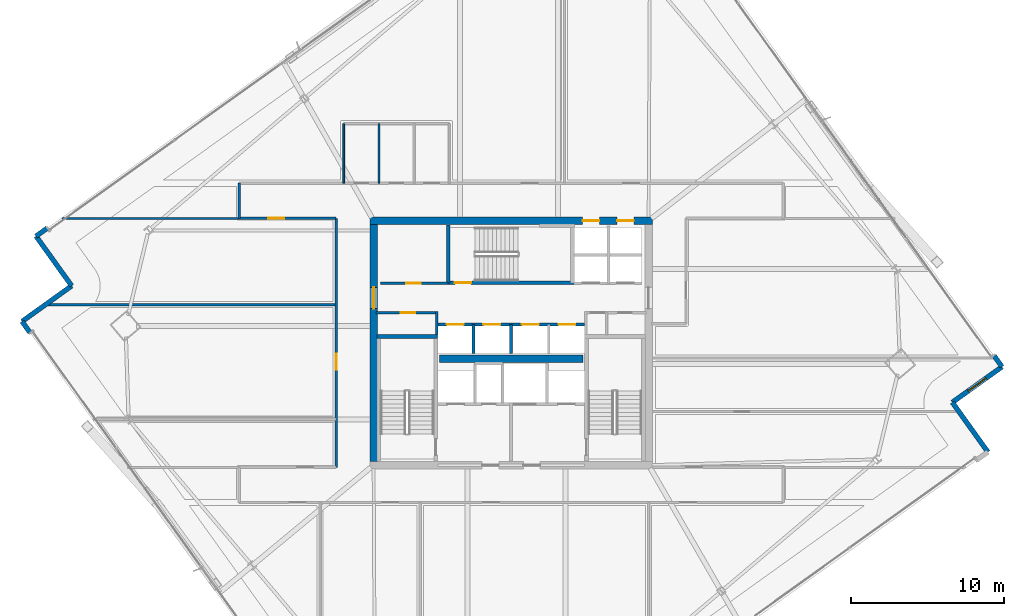
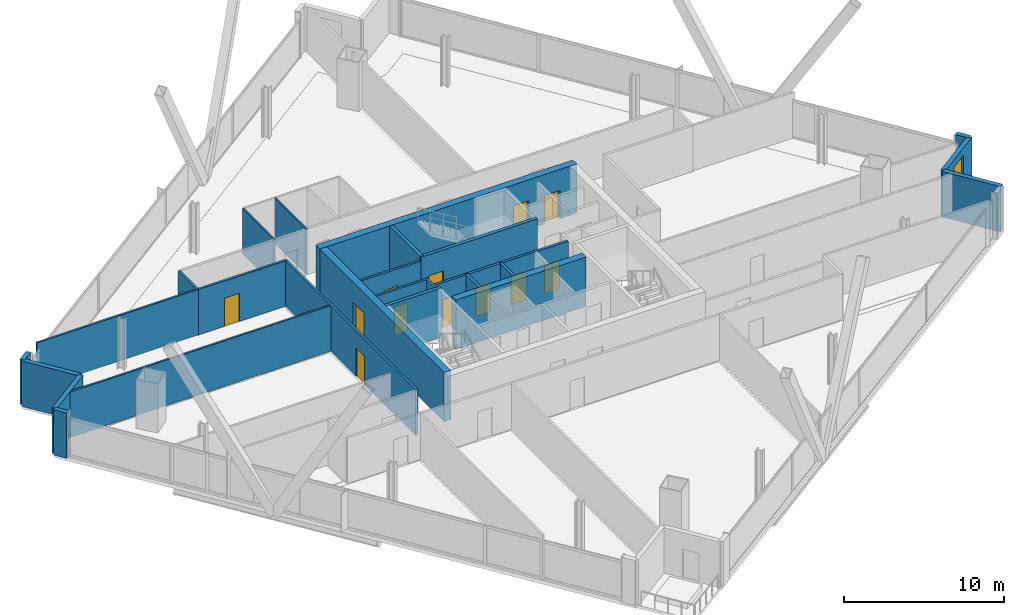
# One storey, part 26 of 33: 26 walls, 12 doors, 1 window, 13 openings.
"""IFC4 building model written with IfcOpenShell, lengths in metres."""

import ifcopenshell
import ifcopenshell.guid

model = None  # the IFC model being written
_history = None  # IfcOwnerHistory: only IFC2X3 demands one
_inside = {}  # id of a spatial element -> (the spatial element, [elements in it])
_under = {}  # id of a project, library or spatial element -> (it, [spatial elements below it])
_declared = {}  # id of a project -> (the project, [libraries it declares])
_typed = {}  # id of a type object -> (the type object, [elements of that type])
_made_of = {}  # id of a material, layer set ... -> (it, [elements and type objects made of it])


def new_model(schema):
    """Start an empty IFC model of exactly this schema.

    Asked for "IFC4X3", IfcOpenShell would pick the latest addendum, in which some entities
    have other attributes; the version numbers below select the first issue.
    IFC2X3 requires an IfcOwnerHistory on every rooted entity: one is made here for all.
    """
    global model, _history
    if schema == "IFC4X3":
        model = ifcopenshell.file(schema_version=(4, 3, 0, 0))
    else:
        model = ifcopenshell.file(schema=schema)
    _inside.clear()
    _under.clear()
    _declared.clear()
    _typed.clear()
    _made_of.clear()
    _history = None
    if model.schema == "IFC2X3":
        org = make("IfcOrganization", Name="unknown")
        user = make(
            "IfcPersonAndOrganization",
            ThePerson=make("IfcPerson", FamilyName="unknown"),
            TheOrganization=org,
        )
        app = make(
            "IfcApplication",
            ApplicationDeveloper=org,
            Version="unknown",
            ApplicationFullName="unknown",
            ApplicationIdentifier="unknown",
        )
        _history = make(
            "IfcOwnerHistory",
            OwningUser=user,
            OwningApplication=app,
            ChangeAction="ADDED",
            CreationDate=0,
        )
    return model


def make(cls, **values):
    """One entity of the class cls with the attributes given. An attribute that is None is left unset."""
    return model.create_entity(
        cls, **{name: value for name, value in values.items() if value is not None}
    )


def rooted(cls, **values):
    """An entity with a GlobalId (a new one), such as an element, a storey or a relation."""
    return make(cls, GlobalId=ifcopenshell.guid.new(), OwnerHistory=_history, **values)


def si_unit(unit_type, name, prefix=None):
    """IfcSIUnit, for example si_unit("LENGTHUNIT", "METRE", prefix="MILLI")."""
    return make("IfcSIUnit", UnitType=unit_type, Prefix=prefix, Name=name)


def assignment(units):
    """IfcUnitAssignment: the units of a project."""
    return None if units is None else make("IfcUnitAssignment", Units=units)


def point(xyz):
    """IfcCartesianPoint."""
    return None if xyz is None else make("IfcCartesianPoint", Coordinates=xyz)


def direction(xyz):
    """IfcDirection."""
    return None if xyz is None else make("IfcDirection", DirectionRatios=xyz)


def frame(location, z_axis=None, x_axis=None):
    """IfcAxis2Placement3D, a coordinate frame: its origin and axes. An axis left out is left unset."""
    return make(
        "IfcAxis2Placement3D",
        Location=point(location),
        Axis=direction(z_axis),
        RefDirection=direction(x_axis),
    )


def frame_2d(location, x_axis=None):
    """IfcAxis2Placement2D, a coordinate frame in the plane: its origin and x axis."""
    return make(
        "IfcAxis2Placement2D", Location=point(location), RefDirection=direction(x_axis)
    )


def origin():
    """The frame at (0, 0, 0) with its axes left unset."""
    return frame((0.0, 0.0, 0.0))


def place(relative_to, where):
    """IfcLocalPlacement: puts the frame where relative to a parent placement (None: the world)."""
    return make(
        "IfcLocalPlacement", PlacementRelTo=relative_to, RelativePlacement=where
    )


def context(
    kind, dimensions, precision=None, world=None, true_north=None, identifier=None
):
    """IfcGeometricRepresentationContext, for example the 3D "Model" context."""
    return make(
        "IfcGeometricRepresentationContext",
        ContextIdentifier=identifier,
        ContextType=kind,
        CoordinateSpaceDimension=dimensions,
        Precision=precision,
        WorldCoordinateSystem=world,
        TrueNorth=true_north,
    )


def subcontext(parent, identifier, kind, view, scale=None):
    """IfcGeometricRepresentationSubContext, for example "Body" below "Model"."""
    return make(
        "IfcGeometricRepresentationSubContext",
        ContextIdentifier=identifier,
        ContextType=kind,
        ParentContext=parent,
        TargetScale=scale,
        TargetView=view,
    )


def project(units=None, contexts=None):
    """IfcProject with its units and contexts."""
    return rooted(
        "IfcProject",
        Name="project",
        RepresentationContexts=contexts,
        UnitsInContext=assignment(units),
    )


def spatial(cls, under=None, at=None, **own):
    """A site, building, storey or space (cls), placed at a placement, below another one or the project."""
    s = rooted(cls, ObjectPlacement=at, **own)
    if under is not None:
        _under.setdefault(under.id(), (under, []))[1].append(s)
    return s


def profile(cls, at=None, kind="AREA", **sizes):
    """A parametric profile (cls). Its sizes go by their IFC names, for example OverallWidth=200.0."""
    return make(cls, ProfileType=kind, Position=at, **sizes)


def rectangle(**sizes):
    """IfcRectangleProfileDef."""
    return profile("IfcRectangleProfileDef", **sizes)


def extrude(swept, where, along, depth):
    """IfcExtrudedAreaSolid: the profile swept, set in the frame where, extruded along a direction by depth."""
    return make(
        "IfcExtrudedAreaSolid",
        SweptArea=swept,
        Position=where,
        ExtrudedDirection=direction(along),
        Depth=depth,
    )


def shape(context_of_items, identifier, shape_type, items):
    """IfcShapeRepresentation: the items that make up one representation, for example the "Body"."""
    return make(
        "IfcShapeRepresentation",
        ContextOfItems=context_of_items,
        RepresentationIdentifier=identifier,
        RepresentationType=shape_type,
        Items=items,
    )


def material(Name=None, Category=None):
    """IfcMaterial."""
    return make("IfcMaterial", Name=Name, Category=Category)


def layer(
    of_material, thickness, ventilated=None, Name=None, Category=None, Priority=None
):
    """IfcMaterialLayer: one layer of a wall or slab, of a material (None: an air gap)."""
    return make(
        "IfcMaterialLayer",
        Material=of_material,
        LayerThickness=thickness,
        IsVentilated=ventilated,
        Name=Name,
        Category=Category,
        Priority=Priority,
    )


def layer_set(layers, Name=None):
    """IfcMaterialLayerSet."""
    return make("IfcMaterialLayerSet", MaterialLayers=layers, LayerSetName=Name)


def made_of(thing, what):
    """Note that an element or type object is made of a material, layer set ...; save() writes the relation."""
    if what is not None:
        _made_of.setdefault(what.id(), (what, []))[1].append(thing)
    return thing


def type_object(cls, material=None, **own):
    """A type object (cls), such as IfcWallType, which elements share."""
    return made_of(rooted(cls, **own), material)


def element(
    cls,
    number,
    at=None,
    inside=None,
    cuts=None,
    type_object=None,
    material=None,
    context=None,
    identifier="Body",
    shape_type=None,
    held_by="IfcProductDefinitionShape",
    body=None,
    shapes=None,
    **own,
):
    """One element of the class cls, such as IfcWall. Its Tag is "e" and its number.

    at: its placement. inside: the storey or other place that contains it. cuts: it is an
    opening in that element (IfcRelVoidsElement). A single representation is given by context,
    identifier, shape_type and body (its items); several are given by shapes. held_by: the class
    of the entity that holds the representations. save() writes the other relations.
    """
    e = rooted(cls, Tag="e%d" % number, ObjectPlacement=at, **own)
    if body is not None:
        shapes = [shape(context, identifier, shape_type, body)]
    if shapes is not None:
        e.Representation = make(held_by, Representations=shapes)
    if inside is not None:
        _inside.setdefault(inside.id(), (inside, []))[1].append(e)
    if cuts is not None:
        rooted(
            "IfcRelVoidsElement", RelatingBuildingElement=cuts, RelatedOpeningElement=e
        )
    if type_object is not None:
        _typed.setdefault(type_object.id(), (type_object, []))[1].append(e)
    return made_of(e, material)


def fill(opening, filler):
    """IfcRelFillsElement: the door or window that sits in an opening."""
    return rooted(
        "IfcRelFillsElement",
        RelatingOpeningElement=opening,
        RelatedBuildingElement=filler,
    )


def aggregate(whole, parts):
    """IfcRelAggregates: a whole, such as a stair, and the parts it consists of."""
    return rooted("IfcRelAggregates", RelatingObject=whole, RelatedObjects=parts)


def save(model, path):
    """Write the relations noted so far, then the file.

    IfcRelAggregates (storeys below a building ...), IfcRelContainedInSpatialStructure (elements
    in a storey), IfcRelDefinesByType, IfcRelAssociatesMaterial and IfcRelDeclares: one each for
    every whole, place, type object, material and project.
    """
    for whole, parts in _under.values():
        aggregate(whole, parts)
    for where, things in _inside.values():
        rooted(
            "IfcRelContainedInSpatialStructure",
            RelatedElements=things,
            RelatingStructure=where,
        )
    for kind, things in _typed.values():
        rooted("IfcRelDefinesByType", RelatedObjects=things, RelatingType=kind)
    for what, things in _made_of.values():
        rooted("IfcRelAssociatesMaterial", RelatedObjects=things, RelatingMaterial=what)
    for by, libraries in _declared.values():
        rooted("IfcRelDeclares", RelatingContext=by, RelatedDefinitions=libraries)
    model.write(path)


model = new_model("IFC4")

# Units and contexts
model_context = context("Model", 3, precision=1e-05, world=origin(), true_north=direction((0.0, 1.0)))
body_context = subcontext(model_context, "Body", "Model", "MODEL_VIEW")
ifc_project = project(units=[si_unit("LENGTHUNIT", "METRE"), si_unit("AREAUNIT", "SQUARE_METRE"), si_unit("VOLUMEUNIT", "CUBIC_METRE"), si_unit("PLANEANGLEUNIT", "RADIAN"), si_unit("MASSUNIT", "GRAM", prefix="KILO")], contexts=[model_context])

# Site, building, storey
site_placement = place(None, origin())
site = spatial("IfcSite", under=ifc_project, at=site_placement, CompositionType="ELEMENT")
building_placement = place(site_placement, origin())
building = spatial("IfcBuilding", under=site, at=building_placement, Name="Haldenkirk Collegiate Tower", CompositionType="ELEMENT")
storey_placement = place(building_placement, frame((0.0, 0.0, 148.199951171875)))
storey = spatial("IfcBuildingStorey", under=building, at=storey_placement, Name="L36", CompositionType="ELEMENT", Elevation=148.199951171875)

# Wall, openings, doors
ifc_material_1 = material(Name="Concrete f'c 55 MPa", Category="concrete")
ifc_layer_1 = layer(ifc_material_1, 0.5)
ifc_layer_set_1 = layer_set([ifc_layer_1], Name="Concrete f'c 55 MPa")
wall_type_1 = type_object("IfcWallType", Name="WL-CORE-500", PredefinedType="SHEAR", material=ifc_layer_set_1)
wall_1_placement = place(storey_placement, frame((26.75, 34.0, 0.0), z_axis=(0.0, 0.0, 1.0), x_axis=(1.0, 0.0, 0.0)))
wall_1 = element("IfcWall", 1, at=wall_1_placement, inside=storey, type_object=wall_type_1, Name="L36 central core shear wall N", PredefinedType="SHEAR", context=body_context, shape_type="SweptSolid", body=[
    extrude(rectangle(XDim=18.5, YDim=0.5, at=frame_2d((9.25, 0.0))), origin(), (0.0, 0.0, 1.0), 3.75),
])
opening_1_placement = place(wall_1_placement, frame((13.93505859375, 0.0, 0.0)))
opening_1 = element("IfcOpeningElement", 2, at=opening_1_placement, cuts=wall_1, Name="Opening LD-11", PredefinedType="OPENING", context=body_context, shape_type="SweptSolid", body=[
    extrude(rectangle(XDim=1.10009765625, YDim=2.14990234375, at=frame_2d((0.550048828125, 1.074951171875))), frame((0.0, 0.260009765625, 0.0), z_axis=(0.0, -1.0, 0.0), x_axis=(1.0, 0.0, 0.0)), (0.0, 0.0, 1.0), 0.52001953125),
])
opening_2_placement = place(wall_1_placement, frame((16.18505859375, 0.0, 0.0)))
opening_2 = element("IfcOpeningElement", 3, at=opening_2_placement, cuts=wall_1, Name="Opening LD-11", PredefinedType="OPENING", context=body_context, shape_type="SweptSolid", body=[
    extrude(rectangle(XDim=1.10009765625, YDim=2.14990234375, at=frame_2d((0.550048828125, 1.074951171875))), frame((0.0, 0.260009765625, 0.0), z_axis=(0.0, -1.0, 0.0), x_axis=(1.0, 0.0, 0.0)), (0.0, 0.0, 1.0), 0.52001953125),
])
ifc_material_2 = material(Name="Brushed architectural stainless steel", Category="steel")
ifc_layer_2 = layer(ifc_material_2, 0.06005859375)
ifc_layer_set_2 = layer_set([ifc_layer_2], Name="Brushed architectural stainless steel")
door_type_1 = type_object("IfcDoorType", Name="LD-PASS-1100", OperationType="NOTDEFINED", PredefinedType="DOOR", material=ifc_layer_set_2)
door_1_placement = place(opening_1_placement, origin())
door_1 = element("IfcDoor", 4, at=door_1_placement, inside=storey, type_object=door_type_1, Name="L36 Elevator PM3 sliding landing door", OperationType="SLIDING_TO_LEFT", OverallHeight=2.14990234375, OverallWidth=1.10009765625, PredefinedType="DOOR", context=body_context, shape_type="SweptSolid", body=[
    extrude(rectangle(XDim=1.10009765625, YDim=2.14990234375, at=frame_2d((0.550048828125, 1.074951171875))), frame((0.0, 0.02490234375, 0.0), z_axis=(0.0, -1.0, 0.0), x_axis=(1.0, 0.0, 0.0)), (0.0, 0.0, 1.0), 0.050048828125),
])
fill(opening_1, door_1)
door_2_placement = place(opening_2_placement, origin())
door_2 = element("IfcDoor", 5, at=door_2_placement, inside=storey, type_object=door_type_1, Name="L36 Elevator PM4 sliding landing door", OperationType="SLIDING_TO_LEFT", OverallHeight=2.14990234375, OverallWidth=1.10009765625, PredefinedType="DOOR", context=body_context, shape_type="SweptSolid", body=[
    extrude(rectangle(XDim=1.10009765625, YDim=2.14990234375, at=frame_2d((0.550048828125, 1.074951171875))), frame((0.0, 0.02490234375, 0.0), z_axis=(0.0, -1.0, 0.0), x_axis=(1.0, 0.0, 0.0)), (0.0, 0.0, 1.0), 0.050048828125),
])
fill(opening_2, door_2)

# Wall, opening, door
wall_2_placement = place(storey_placement, frame((27.0, 18.25, 0.0), z_axis=(0.0, 0.0, 1.0), x_axis=(0.0, 1.0, 0.0)))
wall_2 = element("IfcWall", 6, at=wall_2_placement, inside=storey, type_object=wall_type_1, Name="L36 central core shear wall W", PredefinedType="SHEAR", context=body_context, shape_type="SweptSolid", body=[
    extrude(rectangle(XDim=15.5, YDim=0.5, at=frame_2d((7.75, 0.0))), origin(), (0.0, 0.0, 1.0), 3.75),
])
opening_3_placement = place(wall_2_placement, frame((9.989990234375, 0.0, 0.0)))
opening_3 = element("IfcOpeningElement", 7, at=opening_3_placement, cuts=wall_2, Name="Opening D-03", PredefinedType="OPENING", context=body_context, shape_type="SweptSolid", body=[
    extrude(rectangle(XDim=1.39990234375, YDim=2.199951171875, at=frame_2d((0.699951171875, 1.10009765625))), frame((0.0, 0.260009765625, 0.0), z_axis=(0.0, -1.0, 0.0), x_axis=(1.0, 0.0, 0.0)), (0.0, 0.0, 1.0), 0.52001953125),
])
ifc_material_3 = material(Name="Galvanized fire-rated hollow steel door", Category="steel")
ifc_layer_3 = layer(ifc_material_3, 0.06005859375)
ifc_layer_set_3 = layer_set([ifc_layer_3], Name="Galvanized fire-rated hollow steel door")
door_type_2 = type_object("IfcDoorType", Name="DR-LOBBY-FD90-1400", OperationType="NOTDEFINED", PredefinedType="DOOR", material=ifc_layer_set_3)
door_3_placement = place(opening_3_placement, origin())
door_3 = element("IfcDoor", 8, at=door_3_placement, inside=storey, type_object=door_type_2, Name="L36 west lift lobby portal", OperationType="DOUBLE_DOOR_SINGLE_SWING", OverallHeight=2.199951171875, OverallWidth=1.39990234375, PredefinedType="DOOR", context=body_context, shape_type="SweptSolid", body=[
    extrude(rectangle(XDim=1.39990234375, YDim=2.199951171875, at=frame_2d((0.699951171875, 1.10009765625))), frame((0.0, 0.02490234375, 0.0), z_axis=(0.0, -1.0, 0.0), x_axis=(1.0, 0.0, 0.0)), (0.0, 0.0, 1.0), 0.050048828125),
])
fill(opening_3, door_3)

# Walls
wall_3_placement = place(storey_placement, frame((31.31005859375, 24.949951171875, 0.0), z_axis=(0.0, 0.0, 1.0), x_axis=(1.0, 0.0, 0.0)))
element("IfcWall", 9, at=wall_3_placement, inside=storey, type_object=wall_type_1, Name="L36 central core spine shear wall", PredefinedType="SHEAR", context=body_context, shape_type="SweptSolid", body=[
    extrude(rectangle(XDim=9.3798828125, YDim=0.5, at=frame_2d((4.68994140625, 0.0))), origin(), (0.0, 0.0, 1.0), 3.75),
])
ifc_material_4 = material(Name="Precast concrete f'c 40 MPa", Category="concrete")
ifc_layer_4 = layer(ifc_material_4, 0.320068359375)
ifc_layer_set_4 = layer_set([ifc_layer_4], Name="Precast concrete f'c 40 MPa")
wall_type_2 = type_object("IfcWallType", Name="WL-EXT-TWR-320", PredefinedType="STANDARD", material=ifc_layer_set_4)
wall_4_placement = place(storey_placement, frame((64.883544921875, 22.104248046875, 0.0), z_axis=(0.0, 0.0, 1.0), x_axis=(0.582813264105, -0.812606115645, 0.0)))
element("IfcWall", 10, at=wall_4_placement, inside=storey, type_object=wall_type_2, Name="L36 bronze precast notch wall 02", PredefinedType="STANDARD", context=body_context, shape_type="SweptSolid", body=[
    extrude(rectangle(XDim=4.0, YDim=0.320068359375, at=frame_2d((2.0, 0.0))), origin(), (0.0, 0.0, 1.0), 3.4599609375),
])

# Wall, opening, window
wall_5_placement = place(storey_placement, frame((68.134033203125, 24.435546875, 0.0), z_axis=(0.0, 0.0, 1.0), x_axis=(-0.812606115645, -0.582813264105, 0.0)))
wall_5 = element("IfcWall", 11, at=wall_5_placement, inside=storey, type_object=wall_type_2, Name="L36 bronze precast notch wall 03", PredefinedType="STANDARD", context=body_context, shape_type="SweptSolid", body=[
    extrude(rectangle(XDim=4.0, YDim=0.320068359375, at=frame_2d((2.0, 0.0))), origin(), (0.0, 0.0, 1.0), 3.4599609375),
])
opening_4_placement = place(wall_5_placement, frame((1.27490234375, 0.0, 0.85009765625)))
opening_4 = element("IfcOpeningElement", 12, at=opening_4_placement, cuts=wall_5, Name="Opening W-05", PredefinedType="OPENING", context=body_context, shape_type="SweptSolid", body=[
    extrude(rectangle(XDim=1.449951171875, YDim=2.050048828125, at=frame_2d((0.72509765625, 1.02490234375))), frame((0.0, 0.169921875, 0.0), z_axis=(0.0, -1.0, 0.0), x_axis=(1.0, 0.0, 0.0)), (0.0, 0.0, 1.0), 0.340087890625),
])
ifc_material_5 = material(Name="Low-E argon triple insulating glass", Category="glass")
ifc_layer_5 = layer(ifc_material_5, 0.090087890625)
ifc_layer_set_5 = layer_set([ifc_layer_5], Name="Low-E argon triple insulating glass")
window_type = type_object("IfcWindowType", Name="WN-Z3-1450X2050", PartitioningType="SINGLE_PANEL", PredefinedType="WINDOW", material=ifc_layer_set_5)
window_placement = place(opening_4_placement, origin())
window = element("IfcWindow", 13, at=window_placement, inside=storey, type_object=window_type, Name="L36 precast-frame academic window 2", OverallHeight=2.050048828125, OverallWidth=1.449951171875, PartitioningType="SINGLE_PANEL", PredefinedType="WINDOW", context=body_context, shape_type="SweptSolid", body=[
    extrude(rectangle(XDim=1.449951171875, YDim=2.050048828125, at=frame_2d((0.72509765625, 1.02490234375))), frame((0.0, 0.030029296875, 0.0), z_axis=(0.0, -1.0, 0.0), x_axis=(1.0, 0.0, 0.0)), (0.0, 0.0, 1.0), 0.06005859375),
])
fill(opening_4, window)

# Walls
for number, where, z_axis, x_axis, name in (
    (14, (67.609619140625, 25.166748046875, 0.0), (0.0, 0.0, 1.0), (0.582802727451, -0.812613672587, 0.0), "L36 precast corner pier ER"),
    (15, (4.901611328125, 32.983642578125, 0.0), (0.0, 0.0, 1.0), (0.812485176157, 0.582981850939, 0.0), "L36 precast corner pier NL"),
):
    element("IfcWall", number, at=place(storey_placement, frame(where, z_axis=z_axis, x_axis=x_axis)), inside=storey, type_object=wall_type_2, Name=name, PredefinedType="STANDARD", context=body_context, shape_type="SweptSolid", body=[
        extrude(rectangle(XDim=0.89990234375, YDim=0.320068359375, at=frame_2d((0.449951171875, 0.0))), origin(), (0.0, 0.0, 1.0), 3.4599609375),
    ])
for number, where, z_axis, x_axis, name in (
    (16, (7.23291015625, 29.7333984375, 0.0), (0.0, 0.0, 1.0), (-0.582842170707, 0.812585382619, 0.0), "L36 bronze precast notch wall 08"),
    (17, (3.982666015625, 27.402099609375, 0.0), (0.0, 0.0, 1.0), (0.812585382619, 0.582842170707, 0.0), "L36 bronze precast notch wall 09"),
):
    element("IfcWall", number, at=place(storey_placement, frame(where, z_axis=z_axis, x_axis=x_axis)), inside=storey, type_object=wall_type_2, Name=name, PredefinedType="STANDARD", context=body_context, shape_type="SweptSolid", body=[
        extrude(rectangle(XDim=4.0, YDim=0.320068359375, at=frame_2d((2.0, 0.0))), origin(), (0.0, 0.0, 1.0), 3.4599609375),
    ])
wall_6_placement = place(storey_placement, frame((4.507080078125, 26.670654296875, 0.0), z_axis=(0.0, 0.0, 1.0), x_axis=(-0.582674251492, 0.812705799566, 0.0)))
element("IfcWall", 18, at=wall_6_placement, inside=storey, type_object=wall_type_2, Name="L36 precast corner pier WR", PredefinedType="STANDARD", context=body_context, shape_type="SweptSolid", body=[
    extrude(rectangle(XDim=0.89990234375, YDim=0.320068359375, at=frame_2d((0.449951171875, 0.0))), origin(), (0.0, 0.0, 1.0), 3.4599609375),
])

# Wall, opening, door
ifc_material_6 = material(Name="Acoustic fire-rated gypsum partition", Category="concrete")
ifc_layer_6 = layer(ifc_material_6, 0.159912109375)
ifc_layer_set_6 = layer_set([ifc_layer_6], Name="Acoustic fire-rated gypsum partition")
wall_type_3 = type_object("IfcWallType", Name="WL-INT-CORR-160", PredefinedType="PARTITIONING", material=ifc_layer_set_6)
wall_7_placement = place(storey_placement, frame((27.14990234375, 27.97998046875, 0.0), z_axis=(0.0, 0.0, 1.0), x_axis=(1.0, 0.0, 0.0)))
wall_7 = element("IfcWall", 19, at=wall_7_placement, inside=storey, type_object=wall_type_3, Name="L36 interior partition IW-L36-VCSW-N", PredefinedType="PARTITIONING", context=body_context, shape_type="SweptSolid", body=[
    extrude(rectangle(XDim=4.050048828125, YDim=0.159912109375, at=frame_2d((2.02490234375, 0.0))), origin(), (0.0, 0.0, 1.0), 3.4599609375),
])
opening_5_placement = place(wall_7_placement, frame((1.625, 0.0, 0.0)))
opening_5 = element("IfcOpeningElement", 20, at=opening_5_placement, cuts=wall_7, Name="Opening D-10", PredefinedType="OPENING", context=body_context, shape_type="SweptSolid", body=[
    extrude(rectangle(XDim=0.949951171875, YDim=2.14990234375, at=frame_2d((0.47509765625, 1.074951171875))), frame((0.0, 0.08984375, 0.0), z_axis=(0.0, -1.0, 0.0), x_axis=(1.0, 0.0, 0.0)), (0.0, 0.0, 1.0), 0.179931640625),
])
ifc_material_7 = material(Name="Solid-core architectural oak fire door", Category="wood")
ifc_layer_7 = layer(ifc_material_7, 0.06005859375)
ifc_layer_set_7 = layer_set([ifc_layer_7], Name="Solid-core architectural oak fire door")
door_type_3 = type_object("IfcDoorType", Name="DR-INT-FD60-950", OperationType="NOTDEFINED", PredefinedType="DOOR", material=ifc_layer_set_7)
door_4_placement = place(opening_5_placement, origin())
door_4 = element("IfcDoor", 21, at=door_4_placement, inside=storey, type_object=door_type_3, Name="L36 core tea pantry door", OperationType="SINGLE_SWING_RIGHT", OverallHeight=2.14990234375, OverallWidth=0.949951171875, PredefinedType="DOOR", context=body_context, shape_type="SweptSolid", body=[
    extrude(rectangle(XDim=0.949951171875, YDim=2.14990234375, at=frame_2d((0.47509765625, 1.074951171875))), frame((0.0, 0.02490234375, 0.0), z_axis=(0.0, -1.0, 0.0), x_axis=(1.0, 0.0, 0.0)), (0.0, 0.0, 1.0), 0.050048828125),
])
fill(opening_5, door_4)

# Wall
wall_8_placement = place(storey_placement, frame((31.1201171875, 26.5400390625, 0.0), z_axis=(0.0, 0.0, 1.0), x_axis=(0.0, 1.0, 0.0)))
element("IfcWall", 22, at=wall_8_placement, inside=storey, type_object=wall_type_3, Name="L36 interior partition IW-L36-VCSW-E", PredefinedType="PARTITIONING", context=body_context, shape_type="SweptSolid", body=[
    extrude(rectangle(XDim=1.510009765625, YDim=0.159912109375, at=frame_2d((0.7548828125, 0.0))), origin(), (0.0, 0.0, 1.0), 3.4599609375),
])

# Wall, opening, door
wall_9_placement = place(storey_placement, frame((27.449951171875, 29.89990234375, 0.0), z_axis=(0.0, 0.0, 1.0), x_axis=(1.0, 0.0, 0.0)))
wall_9 = element("IfcWall", 23, at=wall_9_placement, inside=storey, type_object=wall_type_3, Name="L36 interior partition IW-L36-PLS", PredefinedType="PARTITIONING", context=body_context, shape_type="SweptSolid", body=[
    extrude(rectangle(XDim=4.429931640625, YDim=0.159912109375, at=frame_2d((2.21484375, 0.0))), origin(), (0.0, 0.0, 1.0), 3.4599609375),
])
opening_6_placement = place(wall_9_placement, frame((1.675048828125, 0.0, 0.0)))
opening_6 = element("IfcOpeningElement", 24, at=opening_6_placement, cuts=wall_9, Name="Opening D-10", PredefinedType="OPENING", context=body_context, shape_type="SweptSolid", body=[
    extrude(rectangle(XDim=0.949951171875, YDim=2.14990234375, at=frame_2d((0.47509765625, 1.074951171875))), frame((0.0, 0.08984375, 0.0), z_axis=(0.0, -1.0, 0.0), x_axis=(1.0, 0.0, 0.0)), (0.0, 0.0, 1.0), 0.179931640625),
])
door_5_placement = place(opening_6_placement, origin())
door_5 = element("IfcDoor", 25, at=door_5_placement, inside=storey, type_object=door_type_3, Name="L36 archive door", OperationType="SINGLE_SWING_LEFT", OverallHeight=2.14990234375, OverallWidth=0.949951171875, PredefinedType="DOOR", context=body_context, shape_type="SweptSolid", body=[
    extrude(rectangle(XDim=0.949951171875, YDim=2.14990234375, at=frame_2d((0.47509765625, 1.074951171875))), frame((0.0, 0.02490234375, 0.0), z_axis=(0.0, -1.0, 0.0), x_axis=(1.0, 0.0, 0.0)), (0.0, 0.0, 1.0), 0.050048828125),
])
fill(opening_6, door_5)

wall_10_placement = place(storey_placement, frame((18.199951171875, 34.14990234375, 0.0), z_axis=(0.0, 0.0, 1.0), x_axis=(1.0, 0.0, 0.0)))
wall_10 = element("IfcWall", 26, at=wall_10_placement, inside=storey, type_object=wall_type_3, Name="L36 interior partition IW-L36-CNW", PredefinedType="PARTITIONING", context=body_context, shape_type="SweptSolid", body=[
    extrude(rectangle(XDim=6.35009765625, YDim=0.159912109375, at=frame_2d((3.175048828125, 0.0))), origin(), (0.0, 0.0, 1.0), 3.4599609375),
])
opening_7_placement = place(wall_10_placement, frame((1.887939453125, 0.0, 0.0)))
opening_7 = element("IfcOpeningElement", 27, at=opening_7_placement, cuts=wall_10, Name="Opening D-09", PredefinedType="OPENING", context=body_context, shape_type="SweptSolid", body=[
    extrude(rectangle(XDim=1.050048828125, YDim=2.14990234375, at=frame_2d((0.52490234375, 1.074951171875))), frame((0.0, 0.08984375, 0.0), z_axis=(0.0, -1.0, 0.0), x_axis=(1.0, 0.0, 0.0)), (0.0, 0.0, 1.0), 0.179931640625),
])
ifc_layer_8 = layer(ifc_material_7, 0.06005859375)
ifc_layer_set_8 = layer_set([ifc_layer_8], Name="Solid-core architectural oak fire door")
door_type_4 = type_object("IfcDoorType", Name="DR-INT-FD60-1050", OperationType="NOTDEFINED", PredefinedType="DOOR", material=ifc_layer_set_8)
door_6_placement = place(opening_7_placement, origin())
door_6 = element("IfcDoor", 28, at=door_6_placement, inside=storey, type_object=door_type_4, Name="L36 Hospitality Tea Kitchen 9 door", OperationType="SINGLE_SWING_LEFT", OverallHeight=2.14990234375, OverallWidth=1.050048828125, PredefinedType="DOOR", context=body_context, shape_type="SweptSolid", body=[
    extrude(rectangle(XDim=1.050048828125, YDim=2.14990234375, at=frame_2d((0.52490234375, 1.074951171875))), frame((0.0, 0.02490234375, 0.0), z_axis=(0.0, -1.0, 0.0), x_axis=(1.0, 0.0, 0.0)), (0.0, 0.0, 1.0), 0.050048828125),
])
fill(opening_7, door_6)

wall_11_placement = place(storey_placement, frame((24.550048828125, 17.85009765625, 0.0), z_axis=(0.0, 0.0, 1.0), x_axis=(0.0, 1.0, 0.0)))
wall_11 = element("IfcWall", 29, at=wall_11_placement, inside=storey, type_object=wall_type_3, Name="L36 interior partition IW-L36-CW", PredefinedType="PARTITIONING", context=body_context, shape_type="SweptSolid", body=[
    extrude(rectangle(XDim=16.2998046875, YDim=0.159912109375, at=frame_2d((8.14990234375, 0.0))), origin(), (0.0, 0.0, 1.0), 3.4599609375),
])
opening_8_placement = place(wall_11_placement, frame((6.375, 0.0, 0.0)))
opening_8 = element("IfcOpeningElement", 30, at=opening_8_placement, cuts=wall_11, Name="Opening D-09", PredefinedType="OPENING", context=body_context, shape_type="SweptSolid", body=[
    extrude(rectangle(XDim=1.050048828125, YDim=2.14990234375, at=frame_2d((0.52490234375, 1.074951171875))), frame((0.0, 0.08984375, 0.0), z_axis=(0.0, -1.0, 0.0), x_axis=(1.0, 0.0, 0.0)), (0.0, 0.0, 1.0), 0.179931640625),
])
door_7_placement = place(opening_8_placement, origin())
door_7 = element("IfcDoor", 31, at=door_7_placement, inside=storey, type_object=door_type_4, Name="L36 Faculty Tea Kitchen 8 door", OperationType="SINGLE_SWING_RIGHT", OverallHeight=2.14990234375, OverallWidth=1.050048828125, PredefinedType="DOOR", context=body_context, shape_type="SweptSolid", body=[
    extrude(rectangle(XDim=1.050048828125, YDim=2.14990234375, at=frame_2d((0.52490234375, 1.074951171875))), frame((0.0, 0.02490234375, 0.0), z_axis=(0.0, -1.0, 0.0), x_axis=(1.0, 0.0, 0.0)), (0.0, 0.0, 1.0), 0.050048828125),
])
fill(opening_8, door_7)

# Walls
wall_12_placement = place(storey_placement, frame((18.199951171875, 34.14990234375, 0.0), z_axis=(0.0, 0.0, 1.0), x_axis=(0.0, 1.0, 0.0)))
element("IfcWall", 32, at=wall_12_placement, inside=storey, type_object=wall_type_3, Name="L36 interior partition IW-L36-CNL", PredefinedType="PARTITIONING", context=body_context, shape_type="SweptSolid", body=[
    extrude(rectangle(XDim=2.300048828125, YDim=0.159912109375, at=frame_2d((1.14990234375, 0.0))), origin(), (0.0, 0.0, 1.0), 3.4599609375),
])
ifc_layer_9 = layer(ifc_material_6, 0.139892578125)
ifc_layer_set_9 = layer_set([ifc_layer_9], Name="Acoustic fire-rated gypsum partition")
wall_type_4 = type_object("IfcWallType", Name="WL-INT-DIV-140", PredefinedType="PARTITIONING", material=ifc_layer_set_9)
wall_13_placement = place(storey_placement, frame((6.59619140625, 34.14990234375, 0.0), z_axis=(0.0, 0.0, 1.0), x_axis=(1.0, 0.0, 0.0)))
element("IfcWall", 33, at=wall_13_placement, inside=storey, type_object=wall_type_4, Name="L36 interior partition IW-L36-BWN", PredefinedType="PARTITIONING", context=body_context, shape_type="SweptSolid", body=[
    extrude(rectangle(XDim=11.603759765625, YDim=0.139892578125, at=frame_2d((5.8017578125, 0.0))), origin(), (0.0, 0.0, 1.0), 3.4599609375),
])
wall_14_placement = place(storey_placement, frame((5.58203125, 28.5, 0.0), z_axis=(0.0, 0.0, 1.0), x_axis=(1.0, 0.0, 0.0)))
element("IfcWall", 34, at=wall_14_placement, inside=storey, type_object=wall_type_4, Name="L36 interior partition IW-L36-RW2", PredefinedType="PARTITIONING", context=body_context, shape_type="SweptSolid", body=[
    extrude(rectangle(XDim=18.968017578125, YDim=0.139892578125, at=frame_2d((9.48388671875, 0.0))), origin(), (0.0, 0.0, 1.0), 3.4599609375),
])

# Wall, openings, doors
ifc_material_8 = material(Name="Fire-rated gypsum shaftboard assembly", Category="concrete")
ifc_layer_10 = layer(ifc_material_8, 0.179931640625)
ifc_layer_set_10 = layer_set([ifc_layer_10], Name="Fire-rated gypsum shaftboard assembly")
wall_type_5 = type_object("IfcWallType", Name="WL-INT-SHAFT-180", PredefinedType="PARTITIONING", material=ifc_layer_set_10)
wall_15_placement = place(storey_placement, frame((31.199951171875, 27.199951171875, 0.0), z_axis=(0.0, 0.0, 1.0), x_axis=(1.0, 0.0, 0.0)))
wall_15 = element("IfcWall", 35, at=wall_15_placement, inside=storey, type_object=wall_type_5, Name="L36 interior partition IW-L36-PHN", PredefinedType="PARTITIONING", context=body_context, shape_type="SweptSolid", body=[
    extrude(rectangle(XDim=9.60009765625, YDim=0.179931640625, at=frame_2d((4.800048828125, 0.0))), origin(), (0.0, 0.0, 1.0), 3.4599609375),
])
opening_9_placement = place(wall_15_placement, frame((0.590087890625, 0.0, 0.0)))
opening_9 = element("IfcOpeningElement", 36, at=opening_9_placement, cuts=wall_15, Name="Opening LD-11", PredefinedType="OPENING", context=body_context, shape_type="SweptSolid", body=[
    extrude(rectangle(XDim=1.10009765625, YDim=2.14990234375, at=frame_2d((0.550048828125, 1.074951171875))), frame((0.0, 0.099853515625, 0.0), z_axis=(0.0, -1.0, 0.0), x_axis=(1.0, 0.0, 0.0)), (0.0, 0.0, 1.0), 0.199951171875),
])
opening_10_placement = place(wall_15_placement, frame((2.989990234375, 0.0, 0.0)))
opening_10 = element("IfcOpeningElement", 37, at=opening_10_placement, cuts=wall_15, Name="Opening LD-11", PredefinedType="OPENING", context=body_context, shape_type="SweptSolid", body=[
    extrude(rectangle(XDim=1.10009765625, YDim=2.14990234375, at=frame_2d((0.550048828125, 1.074951171875))), frame((0.0, 0.099853515625, 0.0), z_axis=(0.0, -1.0, 0.0), x_axis=(1.0, 0.0, 0.0)), (0.0, 0.0, 1.0), 0.199951171875),
])
opening_11_placement = place(wall_15_placement, frame((5.510009765625, 0.0, 0.0)))
opening_11 = element("IfcOpeningElement", 38, at=opening_11_placement, cuts=wall_15, Name="Opening LD-11", PredefinedType="OPENING", context=body_context, shape_type="SweptSolid", body=[
    extrude(rectangle(XDim=1.10009765625, YDim=2.14990234375, at=frame_2d((0.550048828125, 1.074951171875))), frame((0.0, 0.099853515625, 0.0), z_axis=(0.0, -1.0, 0.0), x_axis=(1.0, 0.0, 0.0)), (0.0, 0.0, 1.0), 0.199951171875),
])
opening_12_placement = place(wall_15_placement, frame((7.909912109375, 0.0, 0.0)))
opening_12 = element("IfcOpeningElement", 39, at=opening_12_placement, cuts=wall_15, Name="Opening LD-11", PredefinedType="OPENING", context=body_context, shape_type="SweptSolid", body=[
    extrude(rectangle(XDim=1.10009765625, YDim=2.14990234375, at=frame_2d((0.550048828125, 1.074951171875))), frame((0.0, 0.099853515625, 0.0), z_axis=(0.0, -1.0, 0.0), x_axis=(1.0, 0.0, 0.0)), (0.0, 0.0, 1.0), 0.199951171875),
])
door_8_placement = place(opening_9_placement, origin())
door_8 = element("IfcDoor", 40, at=door_8_placement, inside=storey, type_object=door_type_1, Name="L36 Elevator PH1 sliding landing door", OperationType="SLIDING_TO_LEFT", OverallHeight=2.14990234375, OverallWidth=1.10009765625, PredefinedType="DOOR", context=body_context, shape_type="SweptSolid", body=[
    extrude(rectangle(XDim=1.10009765625, YDim=2.14990234375, at=frame_2d((0.550048828125, 1.074951171875))), frame((0.0, 0.02490234375, 0.0), z_axis=(0.0, -1.0, 0.0), x_axis=(1.0, 0.0, 0.0)), (0.0, 0.0, 1.0), 0.050048828125),
])
fill(opening_9, door_8)
door_9_placement = place(opening_10_placement, origin())
door_9 = element("IfcDoor", 41, at=door_9_placement, inside=storey, type_object=door_type_1, Name="L36 Elevator PH2 sliding landing door", OperationType="SLIDING_TO_LEFT", OverallHeight=2.14990234375, OverallWidth=1.10009765625, PredefinedType="DOOR", context=body_context, shape_type="SweptSolid", body=[
    extrude(rectangle(XDim=1.10009765625, YDim=2.14990234375, at=frame_2d((0.550048828125, 1.074951171875))), frame((0.0, 0.02490234375, 0.0), z_axis=(0.0, -1.0, 0.0), x_axis=(1.0, 0.0, 0.0)), (0.0, 0.0, 1.0), 0.050048828125),
])
fill(opening_10, door_9)
door_10_placement = place(opening_11_placement, origin())
door_10 = element("IfcDoor", 42, at=door_10_placement, inside=storey, type_object=door_type_1, Name="L36 Elevator PH3 sliding landing door", OperationType="SLIDING_TO_LEFT", OverallHeight=2.14990234375, OverallWidth=1.10009765625, PredefinedType="DOOR", context=body_context, shape_type="SweptSolid", body=[
    extrude(rectangle(XDim=1.10009765625, YDim=2.14990234375, at=frame_2d((0.550048828125, 1.074951171875))), frame((0.0, 0.02490234375, 0.0), z_axis=(0.0, -1.0, 0.0), x_axis=(1.0, 0.0, 0.0)), (0.0, 0.0, 1.0), 0.050048828125),
])
fill(opening_11, door_10)
door_11_placement = place(opening_12_placement, origin())
door_11 = element("IfcDoor", 43, at=door_11_placement, inside=storey, type_object=door_type_1, Name="L36 Elevator PH4 sliding landing door", OperationType="SLIDING_TO_LEFT", OverallHeight=2.14990234375, OverallWidth=1.10009765625, PredefinedType="DOOR", context=body_context, shape_type="SweptSolid", body=[
    extrude(rectangle(XDim=1.10009765625, YDim=2.14990234375, at=frame_2d((0.550048828125, 1.074951171875))), frame((0.0, 0.02490234375, 0.0), z_axis=(0.0, -1.0, 0.0), x_axis=(1.0, 0.0, 0.0)), (0.0, 0.0, 1.0), 0.050048828125),
])
fill(opening_12, door_11)

# Walls
for number, where, z_axis, x_axis, name in (
    (44, (33.5400390625, 25.300048828125, 0.0), (0.0, 0.0, 1.0), (0.0, 1.0, 0.0), "L36 interior partition IW-L36-PHV1"),
    (45, (36.0, 25.300048828125, 0.0), (0.0, 0.0, 1.0), (0.0, 1.0, 0.0), "L36 interior partition IW-L36-PHV2"),
):
    element("IfcWall", number, at=place(storey_placement, frame(where, z_axis=z_axis, x_axis=x_axis)), inside=storey, type_object=wall_type_5, Name=name, PredefinedType="PARTITIONING", context=body_context, shape_type="SweptSolid", body=[
        extrude(rectangle(XDim=1.89990234375, YDim=0.179931640625, at=frame_2d((0.949951171875, 0.0))), origin(), (0.0, 0.0, 1.0), 3.4599609375),
    ])
ifc_layer_11 = layer(ifc_material_6, 0.1201171875)
ifc_layer_set_11 = layer_set([ifc_layer_11], Name="Acoustic fire-rated gypsum partition")
wall_type_6 = type_object("IfcWallType", Name="WL-INT-WET-120", PredefinedType="PARTITIONING", material=ifc_layer_set_11)
for number, where, z_axis, x_axis, name in (
    (46, (25.050048828125, 36.449951171875, 0.0), (0.0, 0.0, 1.0), (0.0, 1.0, 0.0), "L36 interior partition IW-L36-WCW"),
    (47, (27.35009765625, 36.449951171875, 0.0), (0.0, 0.0, 1.0), (0.0, 1.0, 0.0), "L36 interior partition IW-L36-WC1"),
):
    element("IfcWall", number, at=place(storey_placement, frame(where, z_axis=z_axis, x_axis=x_axis)), inside=storey, type_object=wall_type_6, Name=name, PredefinedType="PARTITIONING", context=body_context, shape_type="SweptSolid", body=[
        extrude(rectangle(XDim=3.900146484375, YDim=0.1201171875, at=frame_2d((1.9501953125, 0.0))), origin(), (0.0, 0.0, 1.0), 3.4599609375),
    ])
ifc_layer_12 = layer(ifc_material_1, 0.239990234375)
ifc_layer_set_12 = layer_set([ifc_layer_12], Name="Concrete f'c 55 MPa")
wall_type_7 = type_object("IfcWallType", Name="WL-SHAFT-240", PredefinedType="SHEAR", material=ifc_layer_set_12)
wall_16_placement = place(storey_placement, frame((27.2099609375, 26.419921875, 0.0), z_axis=(0.0, 0.0, 1.0), x_axis=(1.0, 0.0, 0.0)))
element("IfcWall", 48, at=wall_16_placement, inside=storey, type_object=wall_type_7, Name="L36 stair shaft shear wall SW-L36-ST1N", PredefinedType="SHEAR", context=body_context, shape_type="SweptSolid", body=[
    extrude(rectangle(XDim=3.97998046875, YDim=0.239990234375, at=frame_2d((1.989990234375, 0.0))), origin(), (0.0, 0.0, 1.0), 3.75),
])

# Wall, opening, door
wall_17_placement = place(storey_placement, frame((31.760009765625, 29.929931640625, 0.0), z_axis=(0.0, 0.0, 1.0), x_axis=(1.0, 0.0, 0.0)))
wall_17 = element("IfcWall", 49, at=wall_17_placement, inside=storey, type_object=wall_type_7, Name="L36 stair shaft shear wall SW-L36-ST3S", PredefinedType="SHEAR", context=body_context, shape_type="SweptSolid", body=[
    extrude(rectangle(XDim=8.3798828125, YDim=0.239990234375, at=frame_2d((4.18994140625, 0.0))), origin(), (0.0, 0.0, 1.0), 3.75),
])
opening_13_placement = place(wall_17_placement, frame((0.56494140625, 0.0, 0.0)))
opening_13 = element("IfcOpeningElement", 50, at=opening_13_placement, cuts=wall_17, Name="Opening D-01", PredefinedType="OPENING", context=body_context, shape_type="SweptSolid", body=[
    extrude(rectangle(XDim=1.050048828125, YDim=2.14990234375, at=frame_2d((0.52490234375, 1.074951171875))), frame((0.0, 0.1298828125, 0.0), z_axis=(0.0, -1.0, 0.0), x_axis=(1.0, 0.0, 0.0)), (0.0, 0.0, 1.0), 0.260009765625),
])
ifc_layer_13 = layer(ifc_material_3, 0.06005859375)
ifc_layer_set_13 = layer_set([ifc_layer_13], Name="Galvanized fire-rated hollow steel door")
door_type_5 = type_object("IfcDoorType", Name="DR-STAIR-FD90-1050", OperationType="NOTDEFINED", PredefinedType="DOOR", material=ifc_layer_set_13)
door_12_placement = place(opening_13_placement, origin())
door_12 = element("IfcDoor", 51, at=door_12_placement, inside=storey, type_object=door_type_5, Name="L36 lift lobby Stair 3 door", OperationType="SINGLE_SWING_RIGHT", OverallHeight=2.14990234375, OverallWidth=1.050048828125, PredefinedType="DOOR", context=body_context, shape_type="SweptSolid", body=[
    extrude(rectangle(XDim=1.050048828125, YDim=2.14990234375, at=frame_2d((0.52490234375, 1.074951171875))), frame((0.0, 0.02490234375, 0.0), z_axis=(0.0, -1.0, 0.0), x_axis=(1.0, 0.0, 0.0)), (0.0, 0.0, 1.0), 0.050048828125),
])
fill(opening_13, door_12)

# Wall
wall_18_placement = place(storey_placement, frame((31.8798828125, 29.929931640625, 0.0), z_axis=(0.0, 0.0, 1.0), x_axis=(0.0, 1.0, 0.0)))
element("IfcWall", 52, at=wall_18_placement, inside=storey, type_object=wall_type_7, Name="L36 stair shaft shear wall SW-L36-ST3W", PredefinedType="SHEAR", context=body_context, shape_type="SweptSolid", body=[
    extrude(rectangle(XDim=3.7900390625, YDim=0.239990234375, at=frame_2d((1.89501953125, 0.0))), origin(), (0.0, 0.0, 1.0), 3.75),
])

save(model, "model.ifc")
